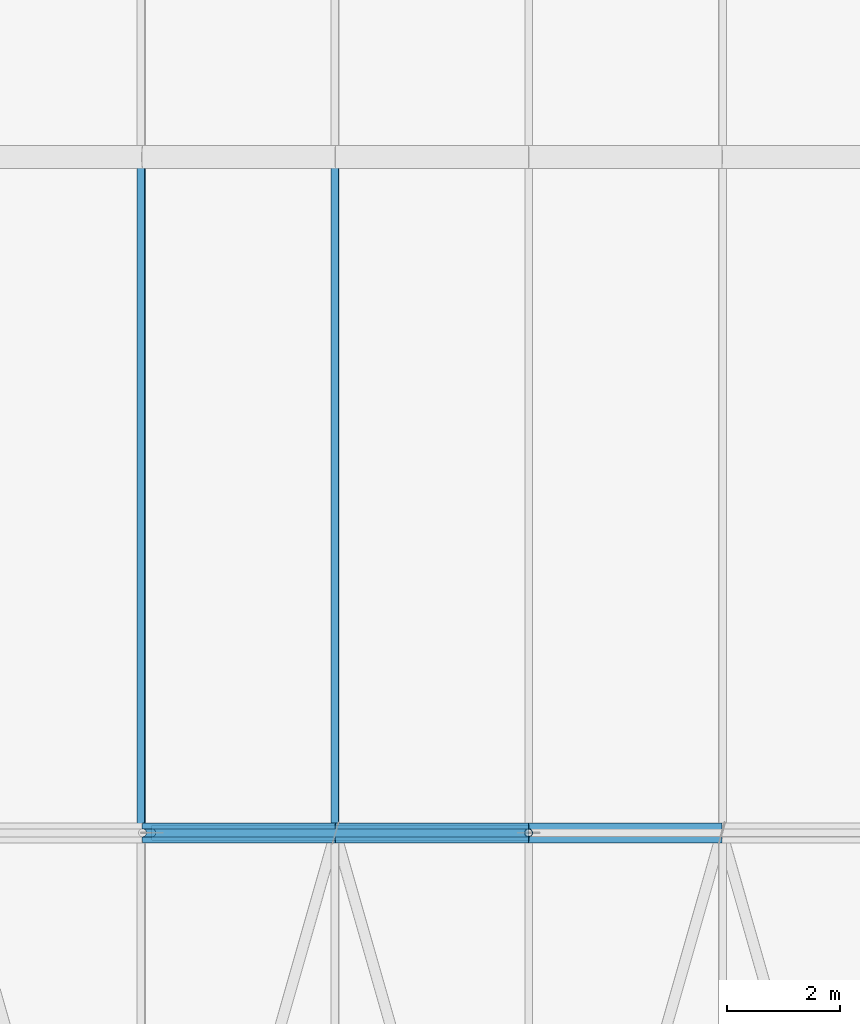
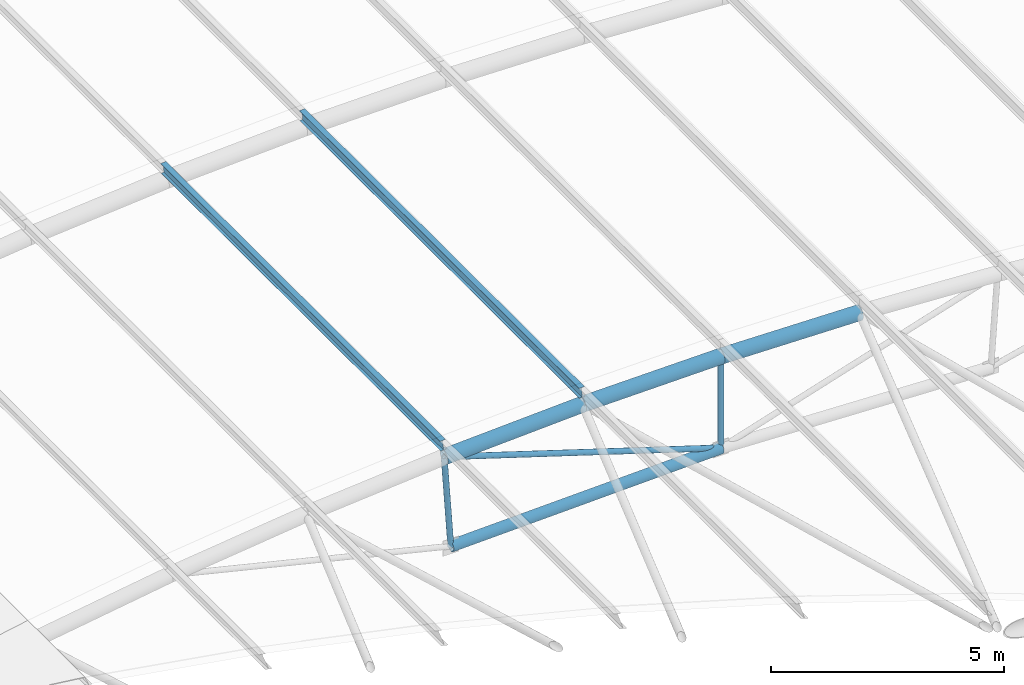
# One storey, part 38 of 91: 9 members.
"""IFC4 building model written with IfcOpenShell, lengths in metres."""

import ifcopenshell
import ifcopenshell.guid

model = None  # the IFC model being written
_history = None  # IfcOwnerHistory: only IFC2X3 demands one
_inside = {}  # id of a spatial element -> (the spatial element, [elements in it])
_under = {}  # id of a project, library or spatial element -> (it, [spatial elements below it])
_declared = {}  # id of a project -> (the project, [libraries it declares])
_typed = {}  # id of a type object -> (the type object, [elements of that type])
_made_of = {}  # id of a material, layer set ... -> (it, [elements and type objects made of it])


def new_model(schema):
    """Start an empty IFC model of exactly this schema.

    Asked for "IFC4X3", IfcOpenShell would pick the latest addendum, in which some entities
    have other attributes; the version numbers below select the first issue.
    IFC2X3 requires an IfcOwnerHistory on every rooted entity: one is made here for all.
    """
    global model, _history
    if schema == "IFC4X3":
        model = ifcopenshell.file(schema_version=(4, 3, 0, 0))
    else:
        model = ifcopenshell.file(schema=schema)
    _inside.clear()
    _under.clear()
    _declared.clear()
    _typed.clear()
    _made_of.clear()
    _history = None
    if model.schema == "IFC2X3":
        org = make("IfcOrganization", Name="unknown")
        user = make(
            "IfcPersonAndOrganization",
            ThePerson=make("IfcPerson", FamilyName="unknown"),
            TheOrganization=org,
        )
        app = make(
            "IfcApplication",
            ApplicationDeveloper=org,
            Version="unknown",
            ApplicationFullName="unknown",
            ApplicationIdentifier="unknown",
        )
        _history = make(
            "IfcOwnerHistory",
            OwningUser=user,
            OwningApplication=app,
            ChangeAction="ADDED",
            CreationDate=0,
        )
    return model


def make(cls, **values):
    """One entity of the class cls with the attributes given. An attribute that is None is left unset."""
    return model.create_entity(
        cls, **{name: value for name, value in values.items() if value is not None}
    )


def rooted(cls, **values):
    """An entity with a GlobalId (a new one), such as an element, a storey or a relation."""
    return make(cls, GlobalId=ifcopenshell.guid.new(), OwnerHistory=_history, **values)


def si_unit(unit_type, name, prefix=None):
    """IfcSIUnit, for example si_unit("LENGTHUNIT", "METRE", prefix="MILLI")."""
    return make("IfcSIUnit", UnitType=unit_type, Prefix=prefix, Name=name)


def assignment(units):
    """IfcUnitAssignment: the units of a project."""
    return None if units is None else make("IfcUnitAssignment", Units=units)


def point(xyz):
    """IfcCartesianPoint."""
    return None if xyz is None else make("IfcCartesianPoint", Coordinates=xyz)


def direction(xyz):
    """IfcDirection."""
    return None if xyz is None else make("IfcDirection", DirectionRatios=xyz)


def frame(location, z_axis=None, x_axis=None):
    """IfcAxis2Placement3D, a coordinate frame: its origin and axes. An axis left out is left unset."""
    return make(
        "IfcAxis2Placement3D",
        Location=point(location),
        Axis=direction(z_axis),
        RefDirection=direction(x_axis),
    )


def frame_2d(location, x_axis=None):
    """IfcAxis2Placement2D, a coordinate frame in the plane: its origin and x axis."""
    return make(
        "IfcAxis2Placement2D", Location=point(location), RefDirection=direction(x_axis)
    )


def origin():
    """The frame at (0, 0, 0) with its axes left unset."""
    return frame((0.0, 0.0, 0.0))


def origin_2d():
    """The frame at (0, 0) in the plane with its x axis left unset."""
    return frame_2d((0.0, 0.0))


def place(relative_to, where):
    """IfcLocalPlacement: puts the frame where relative to a parent placement (None: the world)."""
    return make(
        "IfcLocalPlacement", PlacementRelTo=relative_to, RelativePlacement=where
    )


def context(
    kind, dimensions, precision=None, world=None, true_north=None, identifier=None
):
    """IfcGeometricRepresentationContext, for example the 3D "Model" context."""
    return make(
        "IfcGeometricRepresentationContext",
        ContextIdentifier=identifier,
        ContextType=kind,
        CoordinateSpaceDimension=dimensions,
        Precision=precision,
        WorldCoordinateSystem=world,
        TrueNorth=true_north,
    )


def subcontext(parent, identifier, kind, view, scale=None):
    """IfcGeometricRepresentationSubContext, for example "Body" below "Model"."""
    return make(
        "IfcGeometricRepresentationSubContext",
        ContextIdentifier=identifier,
        ContextType=kind,
        ParentContext=parent,
        TargetScale=scale,
        TargetView=view,
    )


def project(units=None, contexts=None):
    """IfcProject with its units and contexts."""
    return rooted(
        "IfcProject",
        Name="project",
        RepresentationContexts=contexts,
        UnitsInContext=assignment(units),
    )


def spatial(cls, under=None, at=None, **own):
    """A site, building, storey or space (cls), placed at a placement, below another one or the project."""
    s = rooted(cls, ObjectPlacement=at, **own)
    if under is not None:
        _under.setdefault(under.id(), (under, []))[1].append(s)
    return s


def profile(cls, at=None, kind="AREA", **sizes):
    """A parametric profile (cls). Its sizes go by their IFC names, for example OverallWidth=200.0."""
    return make(cls, ProfileType=kind, Position=at, **sizes)


def hollow_circle(**sizes):
    """IfcCircleHollowProfileDef."""
    return profile("IfcCircleHollowProfileDef", **sizes)


def i_section(**sizes):
    """IfcIShapeProfileDef."""
    return profile("IfcIShapeProfileDef", **sizes)


def extrude(swept, where, along, depth):
    """IfcExtrudedAreaSolid: the profile swept, set in the frame where, extruded along a direction by depth."""
    return make(
        "IfcExtrudedAreaSolid",
        SweptArea=swept,
        Position=where,
        ExtrudedDirection=direction(along),
        Depth=depth,
    )


def shape(context_of_items, identifier, shape_type, items):
    """IfcShapeRepresentation: the items that make up one representation, for example the "Body"."""
    return make(
        "IfcShapeRepresentation",
        ContextOfItems=context_of_items,
        RepresentationIdentifier=identifier,
        RepresentationType=shape_type,
        Items=items,
    )


def material(Name=None, Category=None):
    """IfcMaterial."""
    return make("IfcMaterial", Name=Name, Category=Category)


def material_profile(
    of_material, cross_section, Name=None, Category=None, Priority=None
):
    """IfcMaterialProfile: a cross section and its material."""
    return make(
        "IfcMaterialProfile",
        Name=Name,
        Material=of_material,
        Profile=cross_section,
        Priority=Priority,
        Category=Category,
    )


def profile_set(profiles, Name=None, composite=None):
    """IfcMaterialProfileSet."""
    return make(
        "IfcMaterialProfileSet",
        Name=Name,
        MaterialProfiles=profiles,
        CompositeProfile=composite,
    )


def made_of(thing, what):
    """Note that an element or type object is made of a material, layer set ...; save() writes the relation."""
    if what is not None:
        _made_of.setdefault(what.id(), (what, []))[1].append(thing)
    return thing


def type_object(cls, material=None, **own):
    """A type object (cls), such as IfcWallType, which elements share."""
    return made_of(rooted(cls, **own), material)


def element(
    cls,
    number,
    at=None,
    inside=None,
    cuts=None,
    type_object=None,
    material=None,
    context=None,
    identifier="Body",
    shape_type=None,
    held_by="IfcProductDefinitionShape",
    body=None,
    shapes=None,
    **own,
):
    """One element of the class cls, such as IfcWall. Its Tag is "e" and its number.

    at: its placement. inside: the storey or other place that contains it. cuts: it is an
    opening in that element (IfcRelVoidsElement). A single representation is given by context,
    identifier, shape_type and body (its items); several are given by shapes. held_by: the class
    of the entity that holds the representations. save() writes the other relations.
    """
    e = rooted(cls, Tag="e%d" % number, ObjectPlacement=at, **own)
    if body is not None:
        shapes = [shape(context, identifier, shape_type, body)]
    if shapes is not None:
        e.Representation = make(held_by, Representations=shapes)
    if inside is not None:
        _inside.setdefault(inside.id(), (inside, []))[1].append(e)
    if cuts is not None:
        rooted(
            "IfcRelVoidsElement", RelatingBuildingElement=cuts, RelatedOpeningElement=e
        )
    if type_object is not None:
        _typed.setdefault(type_object.id(), (type_object, []))[1].append(e)
    return made_of(e, material)


def aggregate(whole, parts):
    """IfcRelAggregates: a whole, such as a stair, and the parts it consists of."""
    return rooted("IfcRelAggregates", RelatingObject=whole, RelatedObjects=parts)


def save(model, path):
    """Write the relations noted so far, then the file.

    IfcRelAggregates (storeys below a building ...), IfcRelContainedInSpatialStructure (elements
    in a storey), IfcRelDefinesByType, IfcRelAssociatesMaterial and IfcRelDeclares: one each for
    every whole, place, type object, material and project.
    """
    for whole, parts in _under.values():
        aggregate(whole, parts)
    for where, things in _inside.values():
        rooted(
            "IfcRelContainedInSpatialStructure",
            RelatedElements=things,
            RelatingStructure=where,
        )
    for kind, things in _typed.values():
        rooted("IfcRelDefinesByType", RelatedObjects=things, RelatingType=kind)
    for what, things in _made_of.values():
        rooted("IfcRelAssociatesMaterial", RelatedObjects=things, RelatingMaterial=what)
    for by, libraries in _declared.values():
        rooted("IfcRelDeclares", RelatingContext=by, RelatedDefinitions=libraries)
    model.write(path)


model = new_model("IFC4")

# Units and contexts
model_context = context("Model", 3, precision=1e-05, world=origin(), true_north=direction((0.0, 1.0)))
body_context = subcontext(model_context, "Body", "Model", "MODEL_VIEW")
ifc_project = project(units=[si_unit("LENGTHUNIT", "METRE"), si_unit("AREAUNIT", "SQUARE_METRE"), si_unit("VOLUMEUNIT", "CUBIC_METRE"), si_unit("PLANEANGLEUNIT", "RADIAN"), si_unit("MASSUNIT", "GRAM", prefix="KILO")], contexts=[model_context])

# Site, building, storey
site_placement = place(None, origin())
site = spatial("IfcSite", under=ifc_project, at=site_placement, CompositionType="ELEMENT")
building_placement = place(site_placement, origin())
building = spatial("IfcBuilding", under=site, at=building_placement, Name="Ravi Spectrum Wholesale Market", CompositionType="ELEMENT")
storey_placement = place(building_placement, frame((0.0, 0.0, 16.199951171875)))
storey = spatial("IfcBuildingStorey", under=building, at=storey_placement, Name="ROOF PLANT LEVEL", CompositionType="ELEMENT", Elevation=16.199951171875)

# Members
ifc_material_1 = material(Name="Steel S355", Category="steel")
ifc_material_profile_1 = material_profile(ifc_material_1, hollow_circle(Radius=0.06982421875, WallThickness=0.0048828125, at=origin_2d()))
ifc_profile_set_1 = profile_set([ifc_material_profile_1], Name="Steel S355")
member_type_1 = type_object("IfcMemberType", Name="CHS 139.7x5 brace", PredefinedType="BRACE", material=ifc_profile_set_1)
member_1_placement = place(storey_placement, frame((63.142822265625, 162.0, 2.788818359375), z_axis=(0.953666273238, 0.0, -0.300866480833), x_axis=(0.0, 1.0, 0.0)))
element("IfcMember", 1, at=member_1_placement, inside=storey, type_object=member_type_1, Name="H1-MB-L02-961", PredefinedType="BRACE", context=body_context, shape_type="SweptSolid", body=[
    extrude(hollow_circle(Radius=0.06982421875, WallThickness=0.0048828125, at=origin_2d()), origin(), (0.0, 0.0, 1.0), 7.1904296875),
])
ifc_material_2 = material(Name="Steel S355", Category="steel")
ifc_material_profile_2 = material_profile(ifc_material_2, hollow_circle(Radius=0.06982421875, WallThickness=0.0048828125, at=origin_2d()))
ifc_profile_set_2 = profile_set([ifc_material_profile_2], Name="Steel S355")
member_type_2 = type_object("IfcMemberType", Name="CHS 139.7x5 post", PredefinedType="POST", material=ifc_profile_set_2)
for number, where, z_axis, x_axis, name in (
    (2, (63.142822265625, 162.0, 2.788818359375), (0.068868423963, 0.0, -0.997625751563), (0.0, 1.0, 0.0), "H1-MB-L02-950"),
    (3, (70.0, 162.0, 3.025390625), (0.0, 0.0, -1.0), (1.0, 0.0, 0.0), "H1-MB-L02-951"),
):
    element("IfcMember", number, at=place(storey_placement, frame(where, z_axis=z_axis, x_axis=x_axis)), inside=storey, type_object=member_type_2, Name=name, PredefinedType="POST", context=body_context, shape_type="SweptSolid", body=[
        extrude(hollow_circle(Radius=0.06982421875, WallThickness=0.0048828125, at=origin_2d()), origin(), (0.0, 0.0, 1.0), 2.39990234375),
    ])
ifc_material_3 = material(Name="Steel S355", Category="steel")
ifc_material_profile_3 = material_profile(ifc_material_3, hollow_circle(Radius=0.136474609375, WallThickness=0.010009765625, at=origin_2d()))
ifc_profile_set_3 = profile_set([ifc_material_profile_3], Name="Steel S355")
member_type_3 = type_object("IfcMemberType", Name="CHS 273x10 chord", PredefinedType="CHORD", material=ifc_profile_set_3)
member_2_placement = place(storey_placement, frame((63.30810546875, 162.0, 0.39453125), z_axis=(0.999404959621, 0.0, 0.034492414878), x_axis=(0.0, 1.0, 0.0)))
element("IfcMember", 4, at=member_2_placement, inside=storey, type_object=member_type_3, Name="H1-MB-L02-939", PredefinedType="CHORD", context=body_context, shape_type="SweptSolid", body=[
    extrude(hollow_circle(Radius=0.136474609375, WallThickness=0.010009765625, at=origin_2d()), origin(), (0.0, 0.0, 1.0), 6.69580078125),
])
ifc_material_4 = material(Name="Steel S355", Category="steel")
ifc_material_profile_4 = material_profile(ifc_material_4, hollow_circle(Radius=0.177734375, WallThickness=0.012451171875, at=origin_2d()))
ifc_profile_set_4 = profile_set([ifc_material_profile_4], Name="Steel S355")
member_type_4 = type_object("IfcMemberType", Name="CHS 355.6x12.5 chord", PredefinedType="CHORD", material=ifc_profile_set_4)
for number, where, z_axis, x_axis, name in (
    (5, (63.142822265625, 162.0, 2.788818359375), (0.998661121681, 0.0, 0.051729721087), (0.0, 1.0, 0.0), "H1-MB-L02-920"),
    (6, (66.5693359375, 162.0, 2.96630859375), (0.99985173868, 0.0, 0.017219194475), (0.0, 1.0, 0.0), "H1-MB-L02-921"),
    (7, (70.0, 162.0, 3.025390625), (0.99985173868, 0.0, -0.017219194475), (0.0, 1.0, 0.0), "H1-MB-L02-922"),
):
    element("IfcMember", number, at=place(storey_placement, frame(where, z_axis=z_axis, x_axis=x_axis)), inside=storey, type_object=member_type_4, Name=name, PredefinedType="CHORD", context=body_context, shape_type="SweptSolid", body=[
        extrude(hollow_circle(Radius=0.177734375, WallThickness=0.012451171875, at=origin_2d()), origin(), (0.0, 0.0, 1.0), 3.43115234375),
    ])
ifc_material_5 = material(Name="Steel S355", Category="steel")
ifc_material_profile_5 = material_profile(ifc_material_5, i_section(OverallWidth=0.135009765625, OverallDepth=0.27001953125, WebThickness=0.006591796875, FlangeThickness=0.01025390625, at=origin_2d()))
ifc_profile_set_5 = profile_set([ifc_material_profile_5], Name="Steel S355")
member_type_5 = type_object("IfcMemberType", Name="IPE 270 purlin", PredefinedType="PURLIN", material=ifc_profile_set_5)
for number, where, z_axis, x_axis, name in (
    (8, (63.12109375, 162.0, 3.100830078125), (0.0, 1.0, 0.0), (-0.997620623348, 0.0, -0.068942670899), "H1-MB-L02-1519"),
    (9, (66.55859375, 162.0, 3.27880859375), (0.0, 1.0, 0.0), (-0.999404978812, 0.0, -0.034491858836), "H1-MB-L02-1520"),
):
    element("IfcMember", number, at=place(storey_placement, frame(where, z_axis=z_axis, x_axis=x_axis)), inside=storey, type_object=member_type_5, Name=name, PredefinedType="PURLIN", context=body_context, shape_type="SweptSolid", body=[
        extrude(i_section(OverallWidth=0.135009765625, OverallDepth=0.27001953125, WebThickness=0.006591796875, FlangeThickness=0.01025390625, at=origin_2d()), origin(), (0.0, 0.0, 1.0), 12.0),
    ])

save(model, "model.ifc")
